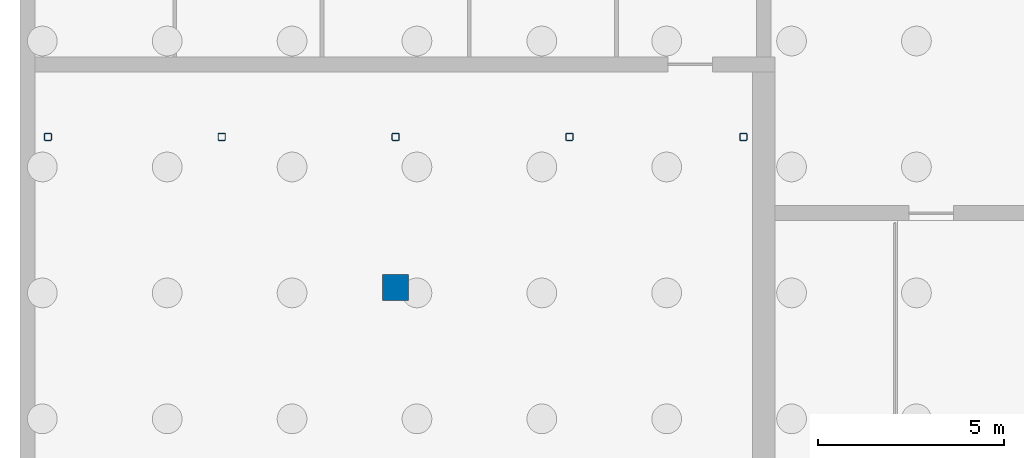
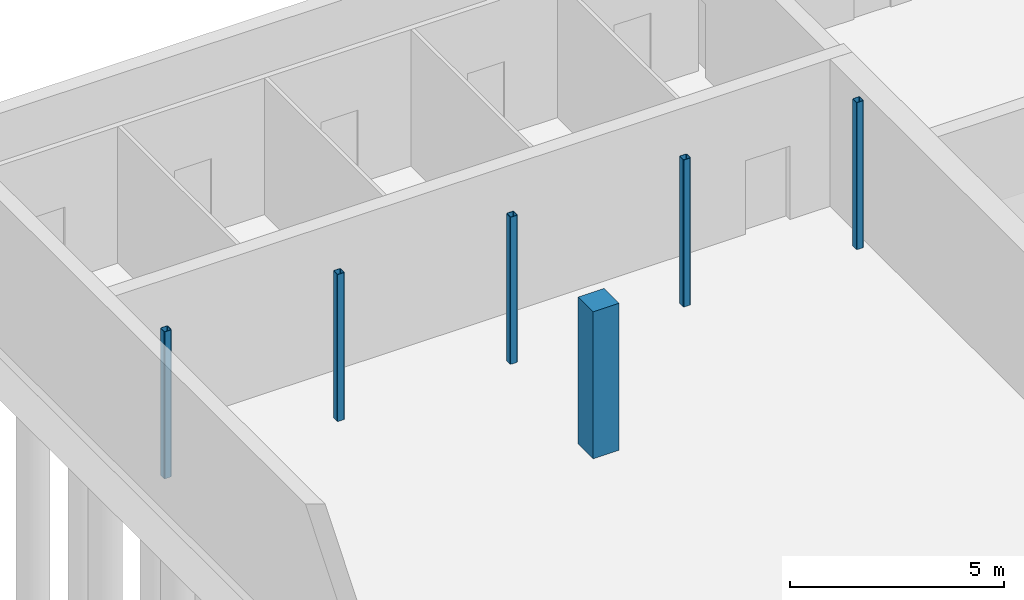
# One storey, part 5 of 32: 6 columns.
"""IFC4 building model written with IfcOpenShell, lengths in metres."""

import ifcopenshell
import ifcopenshell.guid

model = None  # the IFC model being written
_history = None  # IfcOwnerHistory: only IFC2X3 demands one
_inside = {}  # id of a spatial element -> (the spatial element, [elements in it])
_under = {}  # id of a project, library or spatial element -> (it, [spatial elements below it])
_declared = {}  # id of a project -> (the project, [libraries it declares])
_typed = {}  # id of a type object -> (the type object, [elements of that type])
_made_of = {}  # id of a material, layer set ... -> (it, [elements and type objects made of it])


def new_model(schema):
    """Start an empty IFC model of exactly this schema.

    Asked for "IFC4X3", IfcOpenShell would pick the latest addendum, in which some entities
    have other attributes; the version numbers below select the first issue.
    IFC2X3 requires an IfcOwnerHistory on every rooted entity: one is made here for all.
    """
    global model, _history
    if schema == "IFC4X3":
        model = ifcopenshell.file(schema_version=(4, 3, 0, 0))
    else:
        model = ifcopenshell.file(schema=schema)
    _inside.clear()
    _under.clear()
    _declared.clear()
    _typed.clear()
    _made_of.clear()
    _history = None
    if model.schema == "IFC2X3":
        org = make("IfcOrganization", Name="unknown")
        user = make(
            "IfcPersonAndOrganization",
            ThePerson=make("IfcPerson", FamilyName="unknown"),
            TheOrganization=org,
        )
        app = make(
            "IfcApplication",
            ApplicationDeveloper=org,
            Version="unknown",
            ApplicationFullName="unknown",
            ApplicationIdentifier="unknown",
        )
        _history = make(
            "IfcOwnerHistory",
            OwningUser=user,
            OwningApplication=app,
            ChangeAction="ADDED",
            CreationDate=0,
        )
    return model


def make(cls, **values):
    """One entity of the class cls with the attributes given. An attribute that is None is left unset."""
    return model.create_entity(
        cls, **{name: value for name, value in values.items() if value is not None}
    )


def rooted(cls, **values):
    """An entity with a GlobalId (a new one), such as an element, a storey or a relation."""
    return make(cls, GlobalId=ifcopenshell.guid.new(), OwnerHistory=_history, **values)


def si_unit(unit_type, name, prefix=None):
    """IfcSIUnit, for example si_unit("LENGTHUNIT", "METRE", prefix="MILLI")."""
    return make("IfcSIUnit", UnitType=unit_type, Prefix=prefix, Name=name)


def assignment(units):
    """IfcUnitAssignment: the units of a project."""
    return None if units is None else make("IfcUnitAssignment", Units=units)


def point(xyz):
    """IfcCartesianPoint."""
    return None if xyz is None else make("IfcCartesianPoint", Coordinates=xyz)


def direction(xyz):
    """IfcDirection."""
    return None if xyz is None else make("IfcDirection", DirectionRatios=xyz)


def frame(location, z_axis=None, x_axis=None):
    """IfcAxis2Placement3D, a coordinate frame: its origin and axes. An axis left out is left unset."""
    return make(
        "IfcAxis2Placement3D",
        Location=point(location),
        Axis=direction(z_axis),
        RefDirection=direction(x_axis),
    )


def frame_2d(location, x_axis=None):
    """IfcAxis2Placement2D, a coordinate frame in the plane: its origin and x axis."""
    return make(
        "IfcAxis2Placement2D", Location=point(location), RefDirection=direction(x_axis)
    )


def origin():
    """The frame at (0, 0, 0) with its axes left unset."""
    return frame((0.0, 0.0, 0.0))


def origin_2d():
    """The frame at (0, 0) in the plane with its x axis left unset."""
    return frame_2d((0.0, 0.0))


def place(relative_to, where):
    """IfcLocalPlacement: puts the frame where relative to a parent placement (None: the world)."""
    return make(
        "IfcLocalPlacement", PlacementRelTo=relative_to, RelativePlacement=where
    )


def context(
    kind, dimensions, precision=None, world=None, true_north=None, identifier=None
):
    """IfcGeometricRepresentationContext, for example the 3D "Model" context."""
    return make(
        "IfcGeometricRepresentationContext",
        ContextIdentifier=identifier,
        ContextType=kind,
        CoordinateSpaceDimension=dimensions,
        Precision=precision,
        WorldCoordinateSystem=world,
        TrueNorth=true_north,
    )


def subcontext(parent, identifier, kind, view, scale=None):
    """IfcGeometricRepresentationSubContext, for example "Body" below "Model"."""
    return make(
        "IfcGeometricRepresentationSubContext",
        ContextIdentifier=identifier,
        ContextType=kind,
        ParentContext=parent,
        TargetScale=scale,
        TargetView=view,
    )


def project(units=None, contexts=None):
    """IfcProject with its units and contexts."""
    return rooted(
        "IfcProject",
        Name="project",
        RepresentationContexts=contexts,
        UnitsInContext=assignment(units),
    )


def spatial(cls, under=None, at=None, **own):
    """A site, building, storey or space (cls), placed at a placement, below another one or the project."""
    s = rooted(cls, ObjectPlacement=at, **own)
    if under is not None:
        _under.setdefault(under.id(), (under, []))[1].append(s)
    return s


def profile(cls, at=None, kind="AREA", **sizes):
    """A parametric profile (cls). Its sizes go by their IFC names, for example OverallWidth=200.0."""
    return make(cls, ProfileType=kind, Position=at, **sizes)


def rectangle(**sizes):
    """IfcRectangleProfileDef."""
    return profile("IfcRectangleProfileDef", **sizes)


def hollow_rectangle(**sizes):
    """IfcRectangleHollowProfileDef."""
    return profile("IfcRectangleHollowProfileDef", **sizes)


def extrude(swept, where, along, depth):
    """IfcExtrudedAreaSolid: the profile swept, set in the frame where, extruded along a direction by depth."""
    return make(
        "IfcExtrudedAreaSolid",
        SweptArea=swept,
        Position=where,
        ExtrudedDirection=direction(along),
        Depth=depth,
    )


def shape(context_of_items, identifier, shape_type, items):
    """IfcShapeRepresentation: the items that make up one representation, for example the "Body"."""
    return make(
        "IfcShapeRepresentation",
        ContextOfItems=context_of_items,
        RepresentationIdentifier=identifier,
        RepresentationType=shape_type,
        Items=items,
    )


def material(Name=None, Category=None):
    """IfcMaterial."""
    return make("IfcMaterial", Name=Name, Category=Category)


def material_profile(
    of_material, cross_section, Name=None, Category=None, Priority=None
):
    """IfcMaterialProfile: a cross section and its material."""
    return make(
        "IfcMaterialProfile",
        Name=Name,
        Material=of_material,
        Profile=cross_section,
        Priority=Priority,
        Category=Category,
    )


def profile_set(profiles, Name=None, composite=None):
    """IfcMaterialProfileSet."""
    return make(
        "IfcMaterialProfileSet",
        Name=Name,
        MaterialProfiles=profiles,
        CompositeProfile=composite,
    )


def made_of(thing, what):
    """Note that an element or type object is made of a material, layer set ...; save() writes the relation."""
    if what is not None:
        _made_of.setdefault(what.id(), (what, []))[1].append(thing)
    return thing


def type_object(cls, material=None, **own):
    """A type object (cls), such as IfcWallType, which elements share."""
    return made_of(rooted(cls, **own), material)


def element(
    cls,
    number,
    at=None,
    inside=None,
    cuts=None,
    type_object=None,
    material=None,
    context=None,
    identifier="Body",
    shape_type=None,
    held_by="IfcProductDefinitionShape",
    body=None,
    shapes=None,
    **own,
):
    """One element of the class cls, such as IfcWall. Its Tag is "e" and its number.

    at: its placement. inside: the storey or other place that contains it. cuts: it is an
    opening in that element (IfcRelVoidsElement). A single representation is given by context,
    identifier, shape_type and body (its items); several are given by shapes. held_by: the class
    of the entity that holds the representations. save() writes the other relations.
    """
    e = rooted(cls, Tag="e%d" % number, ObjectPlacement=at, **own)
    if body is not None:
        shapes = [shape(context, identifier, shape_type, body)]
    if shapes is not None:
        e.Representation = make(held_by, Representations=shapes)
    if inside is not None:
        _inside.setdefault(inside.id(), (inside, []))[1].append(e)
    if cuts is not None:
        rooted(
            "IfcRelVoidsElement", RelatingBuildingElement=cuts, RelatedOpeningElement=e
        )
    if type_object is not None:
        _typed.setdefault(type_object.id(), (type_object, []))[1].append(e)
    return made_of(e, material)


def aggregate(whole, parts):
    """IfcRelAggregates: a whole, such as a stair, and the parts it consists of."""
    return rooted("IfcRelAggregates", RelatingObject=whole, RelatedObjects=parts)


def save(model, path):
    """Write the relations noted so far, then the file.

    IfcRelAggregates (storeys below a building ...), IfcRelContainedInSpatialStructure (elements
    in a storey), IfcRelDefinesByType, IfcRelAssociatesMaterial and IfcRelDeclares: one each for
    every whole, place, type object, material and project.
    """
    for whole, parts in _under.values():
        aggregate(whole, parts)
    for where, things in _inside.values():
        rooted(
            "IfcRelContainedInSpatialStructure",
            RelatedElements=things,
            RelatingStructure=where,
        )
    for kind, things in _typed.values():
        rooted("IfcRelDefinesByType", RelatedObjects=things, RelatingType=kind)
    for what, things in _made_of.values():
        rooted("IfcRelAssociatesMaterial", RelatedObjects=things, RelatingMaterial=what)
    for by, libraries in _declared.values():
        rooted("IfcRelDeclares", RelatingContext=by, RelatedDefinitions=libraries)
    model.write(path)


model = new_model("IFC4")

# Units and contexts
model_context = context("Model", 3, precision=1e-05, world=origin(), true_north=direction((0.0, 1.0)))
body_context = subcontext(model_context, "Body", "Model", "MODEL_VIEW")
ifc_project = project(units=[si_unit("LENGTHUNIT", "METRE"), si_unit("AREAUNIT", "SQUARE_METRE"), si_unit("VOLUMEUNIT", "CUBIC_METRE"), si_unit("PLANEANGLEUNIT", "RADIAN"), si_unit("MASSUNIT", "GRAM", prefix="KILO")], contexts=[model_context])

# Site, building, storey
site_placement = place(None, origin())
site = spatial("IfcSite", under=ifc_project, at=site_placement, CompositionType="ELEMENT")
building_placement = place(site_placement, origin())
building = spatial("IfcBuilding", under=site, at=building_placement, Name="Noorbagh Ring Tower", CompositionType="ELEMENT")
storey_placement = place(building_placement, frame((0.0, 0.0, -4.199951171875)))
storey = spatial("IfcBuildingStorey", under=building, at=storey_placement, Name="B1", CompositionType="ELEMENT", Elevation=-4.199951171875)

# Columns
ifc_material_1 = material(Name="Steel S355", Category="steel")
ifc_material_profile_1 = material_profile(ifc_material_1, hollow_rectangle(XDim=0.199951171875, YDim=0.199951171875, WallThickness=0.012451171875, InnerFilletRadius=0.012451171875, OuterFilletRadius=0.03125, at=origin_2d()), Name="SHS200x200x12.5")
ifc_profile_set_1 = profile_set([ifc_material_profile_1], Name="Steel S355")
column_type_1 = type_object("IfcColumnType", Name="TH-COL-POST", PredefinedType="COLUMN", material=ifc_profile_set_1)
for number, where, z_axis, x_axis, name in (
    (1, (-159.25, 21.050048828125, 0.0), (0.0, 0.0, 1.0), (1.0, 0.0, 0.0), "B1/th-col/gal-N0"),
    (2, (-154.574951171875, 21.050048828125, 0.0), (0.0, 0.0, 1.0), (1.0, 0.0, 0.0), "B1/th-col/gal-N1"),
    (3, (-149.89990234375, 21.050048828125, 0.0), (0.0, 0.0, 1.0), (1.0, 0.0, 0.0), "B1/th-col/gal-N2"),
    (4, (-145.22509765625, 21.050048828125, 0.0), (0.0, 0.0, 1.0), (1.0, 0.0, 0.0), "B1/th-col/gal-N3"),
    (5, (-140.550048828125, 21.050048828125, 0.0), (0.0, 0.0, 1.0), (1.0, 0.0, 0.0), "B1/th-col/gal-N4"),
):
    element("IfcColumn", number, at=place(storey_placement, frame(where, z_axis=z_axis, x_axis=x_axis)), inside=storey, type_object=column_type_1, Name=name, PredefinedType="COLUMN", context=body_context, shape_type="SweptSolid", body=[
        extrude(hollow_rectangle(XDim=0.199951171875, YDim=0.199951171875, WallThickness=0.012451171875, InnerFilletRadius=0.012451171875, OuterFilletRadius=0.03125, at=origin_2d()), origin(), (0.0, 0.0, 1.0), 4.199951171875),
    ])
ifc_material_2 = material(Name="Concrete C50/60", Category="concrete")
ifc_material_profile_2 = material_profile(ifc_material_2, rectangle(XDim=0.699951171875, YDim=0.699951171875, at=origin_2d()), Name="RC700x700")
ifc_profile_set_2 = profile_set([ifc_material_profile_2], Name="Concrete C50/60")
column_type_2 = type_object("IfcColumnType", Name="TH-COL-TRAP", PredefinedType="COLUMN", material=ifc_profile_set_2)
column_placement = place(storey_placement, frame((-149.89990234375, 17.0, 0.0), z_axis=(0.0, 0.0, 1.0), x_axis=(1.0, 0.0, 0.0)))
element("IfcColumn", 6, at=column_placement, inside=storey, type_object=column_type_2, Name="B1/th-col/trap-3", PredefinedType="COLUMN", context=body_context, shape_type="SweptSolid", body=[
    extrude(rectangle(XDim=0.699951171875, YDim=0.699951171875, at=origin_2d()), origin(), (0.0, 0.0, 1.0), 4.199951171875),
])

save(model, "model.ifc")
